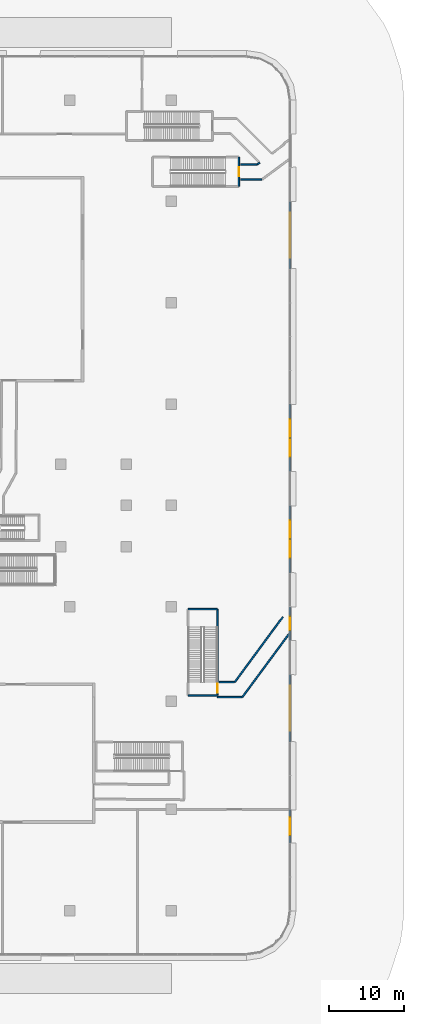
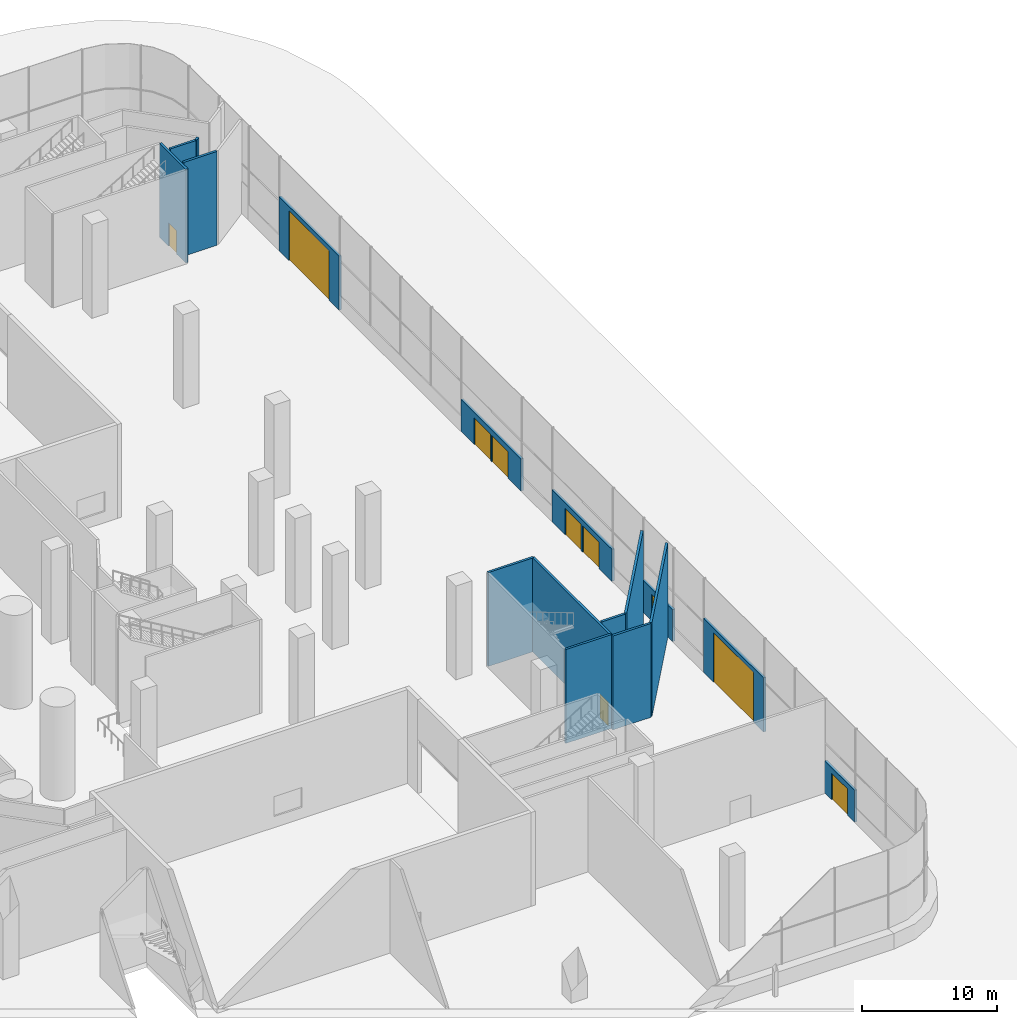
# One storey, part 32 of 54: 17 walls, 10 doors, 10 openings.
"""IFC4 building model written with IfcOpenShell, lengths in metres."""

from ifc_helpers import new_model, si_unit, direction, frame, frame_2d, origin, place, context, subcontext, project, spatial, rectangle, extrude, material, layer, layer_set, type_object, element, fill, save


model = new_model("IFC4")

# Units and contexts
model_context = context("Model", 3, precision=1e-05, world=origin(), true_north=direction((0.0, 1.0)))
body_context = subcontext(model_context, "Body", "Model", "MODEL_VIEW")
ifc_project = project(units=[si_unit("LENGTHUNIT", "METRE"), si_unit("AREAUNIT", "SQUARE_METRE"), si_unit("VOLUMEUNIT", "CUBIC_METRE"), si_unit("PLANEANGLEUNIT", "RADIAN"), si_unit("MASSUNIT", "GRAM", prefix="KILO")], contexts=[model_context])

# Site, building, storey
site_placement = place(None, origin())
site = spatial("IfcSite", under=ifc_project, at=site_placement, CompositionType="ELEMENT")
building_placement = place(site_placement, origin())
building = spatial("IfcBuilding", under=site, at=building_placement, Name="Tamarind Cross Interchange Tower", CompositionType="ELEMENT")
storey_placement = place(building_placement, origin())
storey = spatial("IfcBuildingStorey", under=building, at=storey_placement, Name="L00", CompositionType="ELEMENT", Elevation=0.0)

# Wall, opening, door
ifc_material_1 = material(Name="Precast concrete C40", Category="concrete")
ifc_layer_1 = layer(ifc_material_1, 0.35009765625)
ifc_layer_set_1 = layer_set([ifc_layer_1], Name="Precast concrete C40")
wall_type_1 = type_object("IfcWallType", Name="Podium facade wall", PredefinedType="SOLIDWALL", material=ifc_layer_set_1)
wall_1_placement = place(storey_placement, frame((69.800048828125, -44.94677734375, 0.0), z_axis=(0.0, 0.0, 1.0), x_axis=(0.0, 1.0, 0.0)))
wall_1 = element("IfcWall", 1, at=wall_1_placement, inside=storey, type_object=wall_type_1, Name="EXW-L00-00-D02", PredefinedType="SOLIDWALL", context=body_context, shape_type="SweptSolid", body=[
    extrude(rectangle(XDim=4.418701171875, YDim=0.199951171875, at=frame_2d((2.20947265625, 0.0))), origin(), (0.0, 0.0, 1.0), 2.89990234375),
])
opening_1_placement = place(wall_1_placement, frame((1.00927734375, 0.0, 0.0)))
opening_1 = element("IfcOpeningElement", 2, at=opening_1_placement, cuts=wall_1, Name="Opening D1", PredefinedType="OPENING", context=body_context, shape_type="SweptSolid", body=[
    extrude(rectangle(XDim=2.39990234375, YDim=2.39990234375, at=frame_2d((1.199951171875, 1.199951171875))), frame((0.0, 0.10986328125, 0.0), z_axis=(0.0, -1.0, 0.0), x_axis=(1.0, 0.0, 0.0)), (0.0, 0.0, 1.0), 0.219970703125),
])
ifc_material_2 = material(Name="Toughened glass and aluminium", Category="aluminium")
door_type_1 = type_object("IfcDoorType", Name="Station entrance door", OperationType="DOUBLE_DOOR_DOUBLE_SWING", PredefinedType="DOOR", material=ifc_material_2)
door_1_placement = place(opening_1_placement, frame((2.39990234375, 0.0, 0.0), z_axis=(0.0, 0.0, 1.0), x_axis=(-1.0, 0.0, 0.0)))
door_1 = element("IfcDoor", 3, at=door_1_placement, inside=storey, type_object=door_type_1, Name="DOR-L00-00-02", OperationType="DOUBLE_DOOR_DOUBLE_SWING", OverallHeight=2.39990234375, OverallWidth=2.39990234375, PredefinedType="DOOR", context=body_context, shape_type="SweptSolid", body=[
    extrude(rectangle(XDim=2.39990234375, YDim=2.39990234375, at=frame_2d((1.199951171875, 1.199951171875))), frame((0.0, 0.02490234375, 0.0), z_axis=(0.0, -1.0, 0.0), x_axis=(1.0, 0.0, 0.0)), (0.0, 0.0, 1.0), 0.050048828125),
])
fill(opening_1, door_1)

wall_2_placement = place(storey_placement, frame((69.800048828125, -31.450927734375, 0.0), z_axis=(0.0, 0.0, 1.0), x_axis=(0.0, 1.0, 0.0)))
wall_2 = element("IfcWall", 4, at=wall_2_placement, inside=storey, type_object=wall_type_1, Name="EXW-L00-00-D05", PredefinedType="SOLIDWALL", context=body_context, shape_type="SweptSolid", body=[
    extrude(rectangle(XDim=8.91748046875, YDim=0.199951171875, at=frame_2d((4.458740234375, 0.0))), origin(), (0.0, 0.0, 1.0), 4.89990234375),
])
opening_2_placement = place(wall_2_placement, frame((1.458740234375, 0.0, 0.0)))
opening_2 = element("IfcOpeningElement", 5, at=opening_2_placement, cuts=wall_2, Name="Opening D8", PredefinedType="OPENING", context=body_context, shape_type="SweptSolid", body=[
    extrude(rectangle(XDim=6.0, YDim=4.5, at=frame_2d((3.0, 2.25))), frame((0.0, 0.10986328125, 0.0), z_axis=(0.0, -1.0, 0.0), x_axis=(1.0, 0.0, 0.0)), (0.0, 0.0, 1.0), 0.219970703125),
])
ifc_material_3 = material(Name="Galvanised steel", Category="steel")
door_type_2 = type_object("IfcDoorType", Name="Vehicle roller shutter", OperationType="ROLLINGUP", PredefinedType="DOOR", material=ifc_material_3)
door_2_placement = place(opening_2_placement, origin())
door_2 = element("IfcDoor", 6, at=door_2_placement, inside=storey, type_object=door_type_2, Name="DOR-L00-00-05", OperationType="SINGLE_SWING_LEFT", OverallHeight=4.5, OverallWidth=6.0, PredefinedType="DOOR", context=body_context, shape_type="SweptSolid", body=[
    extrude(rectangle(XDim=6.0, YDim=4.5, at=frame_2d((3.0, 2.25))), frame((0.0, 0.02490234375, 0.0), z_axis=(0.0, -1.0, 0.0), x_axis=(1.0, 0.0, 0.0)), (0.0, 0.0, 1.0), 0.050048828125),
])
fill(opening_2, door_2)

wall_3_placement = place(storey_placement, frame((69.800048828125, -17.954833984375, 0.0), z_axis=(0.0, 0.0, 1.0), x_axis=(0.0, 1.0, 0.0)))
wall_3 = element("IfcWall", 7, at=wall_3_placement, inside=storey, type_object=wall_type_1, Name="EXW-L00-00-D08", PredefinedType="SOLIDWALL", context=body_context, shape_type="SweptSolid", body=[
    extrude(rectangle(XDim=4.418701171875, YDim=0.199951171875, at=frame_2d((2.20947265625, 0.0))), origin(), (0.0, 0.0, 1.0), 2.89990234375),
])
opening_3_placement = place(wall_3_placement, frame((1.309326171875, 0.0, 0.0)))
opening_3 = element("IfcOpeningElement", 8, at=opening_3_placement, cuts=wall_3, Name="Opening D7", PredefinedType="OPENING", context=body_context, shape_type="SweptSolid", body=[
    extrude(rectangle(XDim=1.800048828125, YDim=2.39990234375, at=frame_2d((0.89990234375, 1.199951171875))), frame((0.0, 0.10986328125, 0.0), z_axis=(0.0, -1.0, 0.0), x_axis=(1.0, 0.0, 0.0)), (0.0, 0.0, 1.0), 0.219970703125),
])
ifc_material_4 = material(Name="Steel FD90", Category="steel")
door_type_3 = type_object("IfcDoorType", Name="Exit passage door", OperationType="DOUBLE_DOOR_SINGLE_SWING", PredefinedType="DOOR", material=ifc_material_4)
door_3_placement = place(opening_3_placement, frame((1.800048828125, 0.0, 0.0), z_axis=(0.0, 0.0, 1.0), x_axis=(-1.0, 0.0, 0.0)))
door_3 = element("IfcDoor", 9, at=door_3_placement, inside=storey, type_object=door_type_3, Name="DOR-L00-00-08", OperationType="SINGLE_SWING_LEFT", OverallHeight=2.39990234375, OverallWidth=1.800048828125, PredefinedType="DOOR", context=body_context, shape_type="SweptSolid", body=[
    extrude(rectangle(XDim=1.800048828125, YDim=2.39990234375, at=frame_2d((0.89990234375, 1.199951171875))), frame((0.0, 0.02490234375, 0.0), z_axis=(0.0, -1.0, 0.0), x_axis=(1.0, 0.0, 0.0)), (0.0, 0.0, 1.0), 0.050048828125),
])
fill(opening_3, door_3)

# Wall, openings, doors
wall_4_placement = place(storey_placement, frame((69.800048828125, -8.957275390625, 0.0), z_axis=(0.0, 0.0, 1.0), x_axis=(0.0, 1.0, 0.0)))
wall_4 = element("IfcWall", 10, at=wall_4_placement, inside=storey, type_object=wall_type_1, Name="EXW-L00-00-D10", PredefinedType="SOLIDWALL", context=body_context, shape_type="SweptSolid", body=[
    extrude(rectangle(XDim=8.917236328125, YDim=0.199951171875, at=frame_2d((4.45849609375, 0.0))), origin(), (0.0, 0.0, 1.0), 2.89990234375),
])
opening_4_placement = place(wall_4_placement, frame((1.958740234375, 0.0, 0.0)))
opening_4 = element("IfcOpeningElement", 11, at=opening_4_placement, cuts=wall_4, Name="Opening D1", PredefinedType="OPENING", context=body_context, shape_type="SweptSolid", body=[
    extrude(rectangle(XDim=2.39990234375, YDim=2.39990234375, at=frame_2d((1.199951171875, 1.199951171875))), frame((0.0, 0.10986328125, 0.0), z_axis=(0.0, -1.0, 0.0), x_axis=(1.0, 0.0, 0.0)), (0.0, 0.0, 1.0), 0.219970703125),
])
opening_5_placement = place(wall_4_placement, frame((4.55859375, 0.0, 0.0)))
opening_5 = element("IfcOpeningElement", 12, at=opening_5_placement, cuts=wall_4, Name="Opening D1", PredefinedType="OPENING", context=body_context, shape_type="SweptSolid", body=[
    extrude(rectangle(XDim=2.39990234375, YDim=2.39990234375, at=frame_2d((1.199951171875, 1.199951171875))), frame((0.0, 0.10986328125, 0.0), z_axis=(0.0, -1.0, 0.0), x_axis=(1.0, 0.0, 0.0)), (0.0, 0.0, 1.0), 0.219970703125),
])
door_4_placement = place(opening_4_placement, frame((2.39990234375, 0.0, 0.0), z_axis=(0.0, 0.0, 1.0), x_axis=(-1.0, 0.0, 0.0)))
door_4 = element("IfcDoor", 13, at=door_4_placement, inside=storey, type_object=door_type_1, Name="DOR-L00-00-10A", OperationType="DOUBLE_DOOR_DOUBLE_SWING", OverallHeight=2.39990234375, OverallWidth=2.39990234375, PredefinedType="DOOR", context=body_context, shape_type="SweptSolid", body=[
    extrude(rectangle(XDim=2.39990234375, YDim=2.39990234375, at=frame_2d((1.199951171875, 1.199951171875))), frame((0.0, 0.02490234375, 0.0), z_axis=(0.0, -1.0, 0.0), x_axis=(1.0, 0.0, 0.0)), (0.0, 0.0, 1.0), 0.050048828125),
])
fill(opening_4, door_4)
door_5_placement = place(opening_5_placement, frame((2.39990234375, 0.0, 0.0), z_axis=(0.0, 0.0, 1.0), x_axis=(-1.0, 0.0, 0.0)))
door_5 = element("IfcDoor", 14, at=door_5_placement, inside=storey, type_object=door_type_1, Name="DOR-L00-00-10B", OperationType="DOUBLE_DOOR_DOUBLE_SWING", OverallHeight=2.39990234375, OverallWidth=2.39990234375, PredefinedType="DOOR", context=body_context, shape_type="SweptSolid", body=[
    extrude(rectangle(XDim=2.39990234375, YDim=2.39990234375, at=frame_2d((1.199951171875, 1.199951171875))), frame((0.0, 0.02490234375, 0.0), z_axis=(0.0, -1.0, 0.0), x_axis=(1.0, 0.0, 0.0)), (0.0, 0.0, 1.0), 0.050048828125),
])
fill(opening_5, door_5)

wall_5_placement = place(storey_placement, frame((69.800048828125, 4.53857421875, 0.0), z_axis=(0.0, 0.0, 1.0), x_axis=(0.0, 1.0, 0.0)))
wall_5 = element("IfcWall", 15, at=wall_5_placement, inside=storey, type_object=wall_type_1, Name="EXW-L00-00-D13", PredefinedType="SOLIDWALL", context=body_context, shape_type="SweptSolid", body=[
    extrude(rectangle(XDim=8.91748046875, YDim=0.199951171875, at=frame_2d((4.458740234375, 0.0))), origin(), (0.0, 0.0, 1.0), 2.89990234375),
])
opening_6_placement = place(wall_5_placement, frame((1.958740234375, 0.0, 0.0)))
opening_6 = element("IfcOpeningElement", 16, at=opening_6_placement, cuts=wall_5, Name="Opening D1", PredefinedType="OPENING", context=body_context, shape_type="SweptSolid", body=[
    extrude(rectangle(XDim=2.39990234375, YDim=2.39990234375, at=frame_2d((1.199951171875, 1.199951171875))), frame((0.0, 0.10986328125, 0.0), z_axis=(0.0, -1.0, 0.0), x_axis=(1.0, 0.0, 0.0)), (0.0, 0.0, 1.0), 0.219970703125),
])
opening_7_placement = place(wall_5_placement, frame((4.55859375, 0.0, 0.0)))
opening_7 = element("IfcOpeningElement", 17, at=opening_7_placement, cuts=wall_5, Name="Opening D1", PredefinedType="OPENING", context=body_context, shape_type="SweptSolid", body=[
    extrude(rectangle(XDim=2.39990234375, YDim=2.39990234375, at=frame_2d((1.199951171875, 1.199951171875))), frame((0.0, 0.10986328125, 0.0), z_axis=(0.0, -1.0, 0.0), x_axis=(1.0, 0.0, 0.0)), (0.0, 0.0, 1.0), 0.219970703125),
])
door_6_placement = place(opening_6_placement, frame((2.39990234375, 0.0, 0.0), z_axis=(0.0, 0.0, 1.0), x_axis=(-1.0, 0.0, 0.0)))
door_6 = element("IfcDoor", 18, at=door_6_placement, inside=storey, type_object=door_type_1, Name="DOR-L00-00-13A", OperationType="DOUBLE_DOOR_DOUBLE_SWING", OverallHeight=2.39990234375, OverallWidth=2.39990234375, PredefinedType="DOOR", context=body_context, shape_type="SweptSolid", body=[
    extrude(rectangle(XDim=2.39990234375, YDim=2.39990234375, at=frame_2d((1.199951171875, 1.199951171875))), frame((0.0, 0.02490234375, 0.0), z_axis=(0.0, -1.0, 0.0), x_axis=(1.0, 0.0, 0.0)), (0.0, 0.0, 1.0), 0.050048828125),
])
fill(opening_6, door_6)
door_7_placement = place(opening_7_placement, frame((2.39990234375, 0.0, 0.0), z_axis=(0.0, 0.0, 1.0), x_axis=(-1.0, 0.0, 0.0)))
door_7 = element("IfcDoor", 19, at=door_7_placement, inside=storey, type_object=door_type_1, Name="DOR-L00-00-13B", OperationType="DOUBLE_DOOR_DOUBLE_SWING", OverallHeight=2.39990234375, OverallWidth=2.39990234375, PredefinedType="DOOR", context=body_context, shape_type="SweptSolid", body=[
    extrude(rectangle(XDim=2.39990234375, YDim=2.39990234375, at=frame_2d((1.199951171875, 1.199951171875))), frame((0.0, 0.02490234375, 0.0), z_axis=(0.0, -1.0, 0.0), x_axis=(1.0, 0.0, 0.0)), (0.0, 0.0, 1.0), 0.050048828125),
])
fill(opening_7, door_7)

# Wall, opening, door
wall_6_placement = place(storey_placement, frame((69.800048828125, 31.53076171875, 0.0), z_axis=(0.0, 0.0, 1.0), x_axis=(0.0, 1.0, 0.0)))
wall_6 = element("IfcWall", 20, at=wall_6_placement, inside=storey, type_object=wall_type_1, Name="EXW-L00-00-D19", PredefinedType="SOLIDWALL", context=body_context, shape_type="SweptSolid", body=[
    extrude(rectangle(XDim=8.91748046875, YDim=0.199951171875, at=frame_2d((4.458740234375, 0.0))), origin(), (0.0, 0.0, 1.0), 4.89990234375),
])
opening_8_placement = place(wall_6_placement, frame((1.458740234375, 0.0, 0.0)))
opening_8 = element("IfcOpeningElement", 21, at=opening_8_placement, cuts=wall_6, Name="Opening D8", PredefinedType="OPENING", context=body_context, shape_type="SweptSolid", body=[
    extrude(rectangle(XDim=6.0, YDim=4.5, at=frame_2d((3.0, 2.25))), frame((0.0, 0.10986328125, 0.0), z_axis=(0.0, -1.0, 0.0), x_axis=(1.0, 0.0, 0.0)), (0.0, 0.0, 1.0), 0.219970703125),
])
door_8_placement = place(opening_8_placement, origin())
door_8 = element("IfcDoor", 22, at=door_8_placement, inside=storey, type_object=door_type_2, Name="DOR-L00-00-19", OperationType="SINGLE_SWING_LEFT", OverallHeight=4.5, OverallWidth=6.0, PredefinedType="DOOR", context=body_context, shape_type="SweptSolid", body=[
    extrude(rectangle(XDim=6.0, YDim=4.5, at=frame_2d((3.0, 2.25))), frame((0.0, 0.02490234375, 0.0), z_axis=(0.0, -1.0, 0.0), x_axis=(1.0, 0.0, 0.0)), (0.0, 0.0, 1.0), 0.050048828125),
])
fill(opening_8, door_8)

# Walls
ifc_material_5 = material(Name="Concrete C40", Category="concrete")
ifc_layer_2 = layer(ifc_material_5, 0.199951171875)
ifc_layer_set_2 = layer_set([ifc_layer_2], Name="Concrete C40")
wall_type_2 = type_object("IfcWallType", Name="Protected passage wall 200 EI 180", PredefinedType="PARTITIONING", material=ifc_layer_set_2)
wall_7_placement = place(storey_placement, frame((63.219970703125, 45.449951171875, 0.0), z_axis=(0.0, 0.0, 1.0), x_axis=(1.0, 0.0, 0.0)))
element("IfcWall", 23, at=wall_7_placement, inside=storey, type_object=wall_type_2, Name="L00 passage wall 164", PredefinedType="PARTITIONING", context=body_context, shape_type="SweptSolid", body=[
    extrude(rectangle(XDim=2.19921875, YDim=0.199951171875, at=frame_2d((1.099609375, 0.0))), origin(), (0.0, 0.0, 1.0), 8.5),
])
wall_8_placement = place(storey_placement, frame((65.46923828125, 45.449951171875, 0.0), z_axis=(0.0, 0.0, 1.0), x_axis=(0.802680749931, 0.596408931599, 0.0)))
element("IfcWall", 24, at=wall_8_placement, inside=storey, type_object=wall_type_2, Name="L00 passage wall 165", PredefinedType="PARTITIONING", context=body_context, shape_type="SweptSolid", body=[
    extrude(rectangle(XDim=0.370361328125, YDim=0.199951171875, at=frame_2d((0.18505859375, 0.0))), origin(), (0.0, 0.0, 1.0), 8.5),
])
wall_9_placement = place(storey_placement, frame((63.219970703125, 43.449951171875, 0.0), z_axis=(0.0, 0.0, 1.0), x_axis=(1.0, 0.0, 0.0)))
element("IfcWall", 25, at=wall_9_placement, inside=storey, type_object=wall_type_2, Name="L00 passage wall 167", PredefinedType="PARTITIONING", context=body_context, shape_type="SweptSolid", body=[
    extrude(rectangle(XDim=2.86083984375, YDim=0.199951171875, at=frame_2d((1.430419921875, 0.0))), origin(), (0.0, 0.0, 1.0), 8.5),
])
wall_10_placement = place(storey_placement, frame((60.3701171875, -23.52490234375, 0.0), z_axis=(0.0, 0.0, 1.0), x_axis=(1.0, 0.0, 0.0)))
element("IfcWall", 26, at=wall_10_placement, inside=storey, type_object=wall_type_2, Name="L00 passage wall 229", PredefinedType="PARTITIONING", context=body_context, shape_type="SweptSolid", body=[
    extrude(rectangle(XDim=2.026123046875, YDim=0.199951171875, at=frame_2d((1.01318359375, 0.0))), origin(), (0.0, 0.0, 1.0), 8.5),
])
wall_11_placement = place(storey_placement, frame((62.4462890625, -23.52490234375, 0.0), z_axis=(0.0, 0.0, 1.0), x_axis=(0.595122553779, 0.803634958164, 0.0)))
element("IfcWall", 27, at=wall_11_placement, inside=storey, type_object=wall_type_2, Name="L00 passage wall 230", PredefinedType="PARTITIONING", context=body_context, shape_type="SweptSolid", body=[
    extrude(rectangle(XDim=10.788330078125, YDim=0.199951171875, at=frame_2d((5.39404296875, 0.0))), origin(), (0.0, 0.0, 1.0), 8.5),
])
wall_12_placement = place(storey_placement, frame((60.14990234375, -25.52490234375, 0.0), z_axis=(0.0, 0.0, 1.0), x_axis=(1.0, 0.0, 0.0)))
element("IfcWall", 28, at=wall_12_placement, inside=storey, type_object=wall_type_2, Name="L00 passage wall 231", PredefinedType="PARTITIONING", context=body_context, shape_type="SweptSolid", body=[
    extrude(rectangle(XDim=3.25390625, YDim=0.199951171875, at=frame_2d((1.626953125, 0.0))), origin(), (0.0, 0.0, 1.0), 8.5),
])
wall_13_placement = place(storey_placement, frame((63.453857421875, -25.52490234375, 0.0), z_axis=(0.0, 0.0, 1.0), x_axis=(0.595111462657, 0.803643171448, 0.0)))
element("IfcWall", 29, at=wall_13_placement, inside=storey, type_object=wall_type_2, Name="L00 passage wall 232", PredefinedType="PARTITIONING", context=body_context, shape_type="SweptSolid", body=[
    extrude(rectangle(XDim=10.41162109375, YDim=0.199951171875, at=frame_2d((5.205810546875, 0.0))), origin(), (0.0, 0.0, 1.0), 8.5),
])
ifc_layer_3 = layer(ifc_material_5, 0.199951171875)
ifc_layer_set_3 = layer_set([ifc_layer_3], Name="Concrete C40")
wall_type_3 = type_object("IfcWallType", Name="Stair shaft wall 200 EI 180", PredefinedType="PARTITIONING", material=ifc_layer_set_3)
wall_14_placement = place(storey_placement, frame((56.25, -13.800048828125, 0.0), z_axis=(0.0, 0.0, 1.0), x_axis=(1.0, 0.0, 0.0)))
element("IfcWall", 30, at=wall_14_placement, inside=storey, type_object=wall_type_3, Name="L00 stair shaft wall 50", PredefinedType="PARTITIONING", context=body_context, shape_type="SweptSolid", body=[
    extrude(rectangle(XDim=3.89990234375, YDim=0.199951171875, at=frame_2d((1.949951171875, 0.0))), origin(), (0.0, 0.0, 1.0), 8.5),
])

# Wall, opening, door
wall_15_placement = place(storey_placement, frame((60.14990234375, -25.300048828125, 0.0), z_axis=(0.0, 0.0, 1.0), x_axis=(0.0, 1.0, 0.0)))
wall_15 = element("IfcWall", 31, at=wall_15_placement, inside=storey, type_object=wall_type_3, Name="L00 stair shaft wall 51", PredefinedType="PARTITIONING", context=body_context, shape_type="SweptSolid", body=[
    extrude(rectangle(XDim=11.5, YDim=0.199951171875, at=frame_2d((5.75, 0.0))), origin(), (0.0, 0.0, 1.0), 8.5),
])
opening_9_placement = place(wall_15_placement, frame((0.35205078125, 0.0, 0.0)))
opening_9 = element("IfcOpeningElement", 32, at=opening_9_placement, cuts=wall_15, Name="Opening DL00-13", PredefinedType="OPENING", context=body_context, shape_type="SweptSolid", body=[
    extrude(rectangle(XDim=1.199951171875, YDim=2.10009765625, at=frame_2d((0.60009765625, 1.050048828125))), frame((0.0, 0.10986328125, 0.0), z_axis=(0.0, -1.0, 0.0), x_axis=(1.0, 0.0, 0.0)), (0.0, 0.0, 1.0), 0.219970703125),
])
ifc_material_6 = material(Name="Steel, fire-resisting", Category="steel")
door_type_4 = type_object("IfcDoorType", Name="Podium door 1200 x 2100 FD90", OperationType="SINGLE_SWING_LEFT", PredefinedType="DOOR", material=ifc_material_6)
door_9_placement = place(opening_9_placement, origin())
door_9 = element("IfcDoor", 33, at=door_9_placement, inside=storey, type_object=door_type_4, Name="L00 door Exit Stair PX11", OperationType="SINGLE_SWING_LEFT", OverallHeight=2.10009765625, OverallWidth=1.199951171875, PredefinedType="DOOR", context=body_context, shape_type="SweptSolid", body=[
    extrude(rectangle(XDim=1.199951171875, YDim=2.10009765625, at=frame_2d((0.60009765625, 1.050048828125))), frame((0.0, 0.02490234375, 0.0), z_axis=(0.0, -1.0, 0.0), x_axis=(1.0, 0.0, 0.0)), (0.0, 0.0, 1.0), 0.050048828125),
])
fill(opening_9, door_9)

# Wall
wall_16_placement = place(storey_placement, frame((56.25, -25.300048828125, 0.0), z_axis=(0.0, 0.0, 1.0), x_axis=(1.0, 0.0, 0.0)))
element("IfcWall", 34, at=wall_16_placement, inside=storey, type_object=wall_type_3, Name="L00 stair shaft wall 52", PredefinedType="PARTITIONING", context=body_context, shape_type="SweptSolid", body=[
    extrude(rectangle(XDim=3.89990234375, YDim=0.199951171875, at=frame_2d((1.949951171875, 0.0))), origin(), (0.0, 0.0, 1.0), 8.5),
])

# Wall, opening, door
wall_17_placement = place(storey_placement, frame((63.0, 42.5, 0.0), z_axis=(0.0, 0.0, 1.0), x_axis=(0.0, 1.0, 0.0)))
wall_17 = element("IfcWall", 35, at=wall_17_placement, inside=storey, type_object=wall_type_3, Name="L00 stair shaft wall 60", PredefinedType="PARTITIONING", context=body_context, shape_type="SweptSolid", body=[
    extrude(rectangle(XDim=3.89990234375, YDim=0.199951171875, at=frame_2d((1.949951171875, 0.0))), origin(), (0.0, 0.0, 1.0), 8.5),
])
opening_10_placement = place(wall_17_placement, frame((1.35009765625, 0.0, 0.0)))
opening_10 = element("IfcOpeningElement", 36, at=opening_10_placement, cuts=wall_17, Name="Opening DL00-04", PredefinedType="OPENING", context=body_context, shape_type="SweptSolid", body=[
    extrude(rectangle(XDim=1.199951171875, YDim=2.10009765625, at=frame_2d((0.60009765625, 1.050048828125))), frame((0.0, 0.10986328125, 0.0), z_axis=(0.0, -1.0, 0.0), x_axis=(1.0, 0.0, 0.0)), (0.0, 0.0, 1.0), 0.219970703125),
])
door_10_placement = place(opening_10_placement, origin())
door_10 = element("IfcDoor", 37, at=door_10_placement, inside=storey, type_object=door_type_4, Name="L00 door Exit Stair PX2", OperationType="SINGLE_SWING_RIGHT", OverallHeight=2.10009765625, OverallWidth=1.199951171875, PredefinedType="DOOR", context=body_context, shape_type="SweptSolid", body=[
    extrude(rectangle(XDim=1.199951171875, YDim=2.10009765625, at=frame_2d((0.60009765625, 1.050048828125))), frame((0.0, 0.02490234375, 0.0), z_axis=(0.0, -1.0, 0.0), x_axis=(1.0, 0.0, 0.0)), (0.0, 0.0, 1.0), 0.050048828125),
])
fill(opening_10, door_10)

save(model, "model.ifc")
